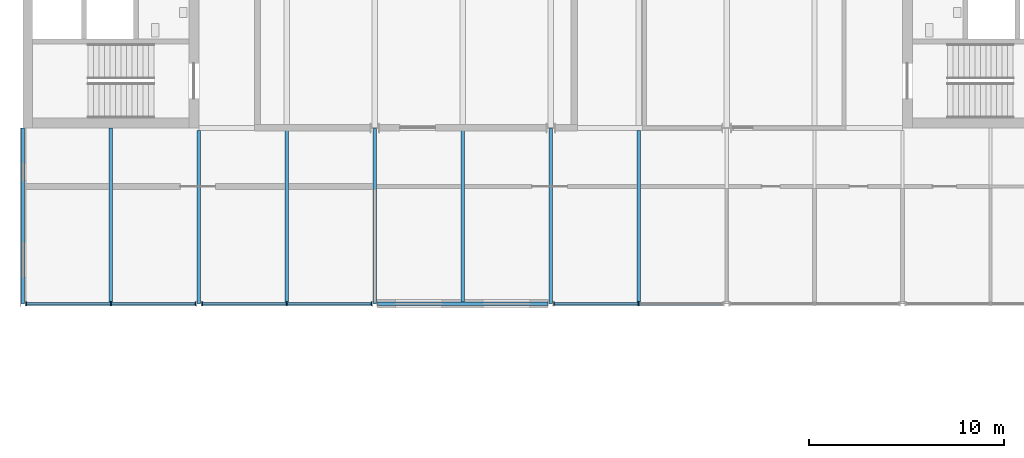
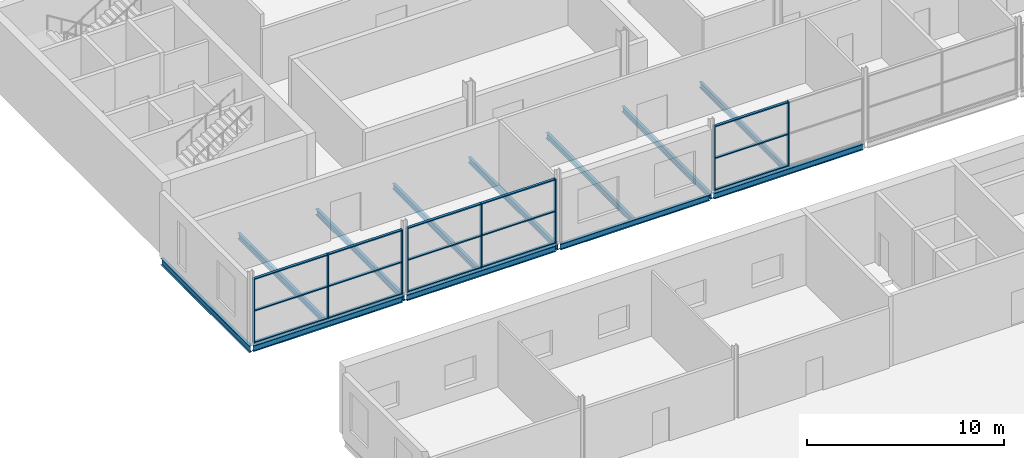
# One storey, part 61 of 138: 23 members, 12 beams, 3 elements without a shape of their own.
"""IFC4 building model written with IfcOpenShell, lengths in metres."""

from ifc_helpers import new_model, si_unit, direction, frame, origin, origin_2d, place, context, subcontext, project, spatial, rectangle, i_section, extrude, material, layer, layer_set, material_profile, profile_set, type_object, element, aggregate, save


model = new_model("IFC4")

# Units and contexts
model_context = context("Model", 3, precision=1e-05, world=origin(), true_north=direction((0.0, 1.0)))
body_context = subcontext(model_context, "Body", "Model", "MODEL_VIEW")
ifc_project = project(units=[si_unit("LENGTHUNIT", "METRE"), si_unit("AREAUNIT", "SQUARE_METRE"), si_unit("VOLUMEUNIT", "CUBIC_METRE"), si_unit("PLANEANGLEUNIT", "RADIAN"), si_unit("MASSUNIT", "GRAM", prefix="KILO")], contexts=[model_context])

# Site, building, storey
site_placement = place(None, origin())
site = spatial("IfcSite", under=ifc_project, at=site_placement, CompositionType="ELEMENT")
building_placement = place(site_placement, origin())
building = spatial("IfcBuilding", under=site, at=building_placement, Name="Corbel Yard City Hall", CompositionType="ELEMENT")
storey_placement = place(building_placement, frame((0.0, 0.0, 10.5)))
storey = spatial("IfcBuildingStorey", under=building, at=storey_placement, Name="L02", CompositionType="ELEMENT", Elevation=10.5)

# Beams
ifc_material_1 = material(Name="Steel Grade 300 (300 MPa yield)", Category="steel")
ifc_material_profile_1 = material_profile(ifc_material_1, i_section(OverallWidth=0.1708984375, OverallDepth=0.35595703125, WebThickness=0.00732421875, FlangeThickness=0.011474609375, at=origin_2d()), Name="360UB50.7")
ifc_profile_set_1 = profile_set([ifc_material_profile_1], Name="Steel Grade 300 (300 MPa yield)")
beam_type_1 = type_object("IfcBeamType", Name="Beam 360UB50.7", PredefinedType="BEAM", material=ifc_profile_set_1)
beam_1_placement = place(storey_placement, frame((9.0, 90.00537109375, -0.327880859375), z_axis=(0.0, 1.0, 0.0), x_axis=(-1.0, 0.0, 0.0)))
element("IfcBeam", 1, at=beam_1_placement, inside=storey, type_object=beam_type_1, Name="Beam 360UB50.7 SB14 L02floor", PredefinedType="BEAM", context=body_context, shape_type="SweptSolid", body=[
    extrude(i_section(OverallWidth=0.1708984375, OverallDepth=0.35595703125, WebThickness=0.00732421875, FlangeThickness=0.011474609375, at=origin_2d()), origin(), (0.0, 0.0, 1.0), 8.86962890625),
])
ifc_material_profile_2 = material_profile(ifc_material_1, i_section(OverallWidth=0.172119140625, OverallDepth=0.35888671875, WebThickness=0.008056640625, FlangeThickness=0.012939453125, at=origin_2d()), Name="360UB56.7")
ifc_profile_set_2 = profile_set([ifc_material_profile_2], Name="Steel Grade 300 (300 MPa yield)")
beam_type_2 = type_object("IfcBeamType", Name="Beam 360UB56.7", PredefinedType="BEAM", material=ifc_profile_set_2)
for number, where, z_axis, x_axis, name in (
    (2, (18.0, 90.00537109375, -0.32958984375), (0.0, 1.0, 0.0), (-1.0, 0.0, 0.0), "Beam 360UB56.7 SB15 L02floor"),
    (3, (27.0, 90.00537109375, -0.32958984375), (0.0, 1.0, 0.0), (-1.0, 0.0, 0.0), "Beam 360UB56.7 SB15 L02floor"),
):
    element("IfcBeam", number, at=place(storey_placement, frame(where, z_axis=z_axis, x_axis=x_axis)), inside=storey, type_object=beam_type_2, Name=name, PredefinedType="BEAM", context=body_context, shape_type="SweptSolid", body=[
        extrude(i_section(OverallWidth=0.172119140625, OverallDepth=0.35888671875, WebThickness=0.008056640625, FlangeThickness=0.012939453125, at=origin_2d()), origin(), (0.0, 0.0, 1.0), 8.974609375),
    ])
ifc_material_profile_3 = material_profile(ifc_material_1, i_section(OverallWidth=0.172119140625, OverallDepth=0.35888671875, WebThickness=0.008056640625, FlangeThickness=0.012939453125, at=origin_2d()), Name="360UB56.7")
ifc_profile_set_3 = profile_set([ifc_material_profile_3], Name="Steel Grade 300 (300 MPa yield)")
beam_type_3 = type_object("IfcBeamType", Name="Edge beam 360UB56.7", PredefinedType="BEAM", material=ifc_profile_set_3)
for number, where, z_axis, x_axis, name in (
    (4, (0.1298828125, 90.0, -0.32958984375), (1.0, 0.0, 0.0), (0.0, 1.0, 0.0), "Edge beam 360UB56.7 EB4 L02floor"),
    (5, (9.1298828125, 90.0, -0.32958984375), (1.0, 0.0, 0.0), (0.0, 1.0, 0.0), "Edge beam 360UB56.7 EB4 L02floor"),
    (6, (18.1298828125, 90.0, -0.32958984375), (1.0, 0.0, 0.0), (0.0, 1.0, 0.0), "Edge beam 360UB56.7 EB4 L02floor"),
    (7, (27.1298828125, 90.0, -0.32958984375), (1.0, 0.0, 0.0), (0.0, 1.0, 0.0), "Edge beam 360UB56.7 EB4 L02floor"),
):
    element("IfcBeam", number, at=place(storey_placement, frame(where, z_axis=z_axis, x_axis=x_axis)), inside=storey, type_object=beam_type_3, Name=name, PredefinedType="BEAM", context=body_context, shape_type="SweptSolid", body=[
        extrude(i_section(OverallWidth=0.172119140625, OverallDepth=0.35888671875, WebThickness=0.008056640625, FlangeThickness=0.012939453125, at=origin_2d()), origin(), (0.0, 0.0, 1.0), 8.740234375),
    ])
ifc_material_profile_4 = material_profile(ifc_material_1, i_section(OverallWidth=0.177978515625, OverallDepth=0.403076171875, WebThickness=0.007568359375, FlangeThickness=0.010986328125, at=origin_2d()), Name="410UB53.7")
ifc_profile_set_4 = profile_set([ifc_material_profile_4], Name="Steel Grade 300 (300 MPa yield)")
beam_type_4 = type_object("IfcBeamType", Name="Edge beam 410UB53.7", PredefinedType="BEAM", material=ifc_profile_set_4)
beam_2_placement = place(storey_placement, frame((0.0, 90.00537109375, -0.3515625), z_axis=(0.0, 1.0, 0.0), x_axis=(-1.0, 0.0, 0.0)))
element("IfcBeam", 8, at=beam_2_placement, inside=storey, type_object=beam_type_4, Name="Edge beam 410UB53.7 EB6 L02floor", PredefinedType="BEAM", context=body_context, shape_type="SweptSolid", body=[
    extrude(i_section(OverallWidth=0.177978515625, OverallDepth=0.403076171875, WebThickness=0.007568359375, FlangeThickness=0.010986328125, at=origin_2d()), origin(), (0.0, 0.0, 1.0), 8.99462890625),
])

# Curtain wall, members
ifc_material_2 = material(Name="Aluminium extrusion", Category="aluminium")
ifc_layer = layer(ifc_material_2, 0.199951171875)
ifc_layer_set = layer_set([ifc_layer], Name="Aluminium extrusion")
curtain_wall_type = type_object("IfcCurtainWallType", Name="CW1", PredefinedType="USERDEFINED", material=ifc_layer_set)
curtain_wall_1_placement = place(storey_placement, origin())
curtain_wall_1 = element("IfcCurtainWall", 9, at=curtain_wall_1_placement, inside=storey, type_object=curtain_wall_type, Name="Curtain wall CW1 L02", ObjectType="CURTAIN WALL", PredefinedType="USERDEFINED")
ifc_material_profile_5 = material_profile(ifc_material_2, rectangle(XDim=0.199951171875, YDim=0.06494140625, at=origin_2d()), Name="200x65")
ifc_profile_set_5 = profile_set([ifc_material_profile_5], Name="Aluminium extrusion")
member_type_1 = type_object("IfcMemberType", Name="ML1", PredefinedType="MULLION", material=ifc_profile_set_5)
member_1_placement = place(storey_placement, frame((0.159423828125, 90.0, 0.0), z_axis=(0.0, 0.0, 1.0), x_axis=(0.0, 1.0, 0.0)))
member_1 = element("IfcMember", 10, at=member_1_placement, type_object=member_type_1, Name="CW1 mullion 1", PredefinedType="MULLION", context=body_context, shape_type="SweptSolid", body=[
    extrude(rectangle(XDim=0.199951171875, YDim=0.06494140625, at=origin_2d()), origin(), (0.0, 0.0, 1.0), 3.990966796875),
])
member_2_placement = place(storey_placement, frame((4.5, 90.0, 0.0), z_axis=(0.0, 0.0, 1.0), x_axis=(0.0, 1.0, 0.0)))
member_2 = element("IfcMember", 11, at=member_2_placement, type_object=member_type_1, Name="CW1 mullion 2", PredefinedType="MULLION", context=body_context, shape_type="SweptSolid", body=[
    extrude(rectangle(XDim=0.199951171875, YDim=0.06494140625, at=origin_2d()), origin(), (0.0, 0.0, 1.0), 3.990966796875),
])
member_3_placement = place(storey_placement, frame((8.840576171875, 90.0, 0.0), z_axis=(0.0, 0.0, 1.0), x_axis=(0.0, 1.0, 0.0)))
member_3 = element("IfcMember", 12, at=member_3_placement, type_object=member_type_1, Name="CW1 mullion 3", PredefinedType="MULLION", context=body_context, shape_type="SweptSolid", body=[
    extrude(rectangle(XDim=0.199951171875, YDim=0.06494140625, at=origin_2d()), origin(), (0.0, 0.0, 1.0), 3.990966796875),
])

curtain_wall_2_placement = place(storey_placement, origin())
curtain_wall_2 = element("IfcCurtainWall", 13, at=curtain_wall_2_placement, inside=storey, type_object=curtain_wall_type, Name="Curtain wall CW1 L02", ObjectType="CURTAIN WALL", PredefinedType="USERDEFINED")
member_4_placement = place(storey_placement, frame((9.159423828125, 90.0, 0.0), z_axis=(0.0, 0.0, 1.0), x_axis=(0.0, 1.0, 0.0)))
member_4 = element("IfcMember", 14, at=member_4_placement, type_object=member_type_1, Name="CW1 mullion 1", PredefinedType="MULLION", context=body_context, shape_type="SweptSolid", body=[
    extrude(rectangle(XDim=0.199951171875, YDim=0.06494140625, at=origin_2d()), origin(), (0.0, 0.0, 1.0), 3.990966796875),
])
member_5_placement = place(storey_placement, frame((13.5, 90.0, 0.0), z_axis=(0.0, 0.0, 1.0), x_axis=(0.0, 1.0, 0.0)))
member_5 = element("IfcMember", 15, at=member_5_placement, type_object=member_type_1, Name="CW1 mullion 2", PredefinedType="MULLION", context=body_context, shape_type="SweptSolid", body=[
    extrude(rectangle(XDim=0.199951171875, YDim=0.06494140625, at=origin_2d()), origin(), (0.0, 0.0, 1.0), 3.990966796875),
])
member_6_placement = place(storey_placement, frame((17.840576171875, 90.0, 0.0), z_axis=(0.0, 0.0, 1.0), x_axis=(0.0, 1.0, 0.0)))
member_6 = element("IfcMember", 16, at=member_6_placement, type_object=member_type_1, Name="CW1 mullion 3", PredefinedType="MULLION", context=body_context, shape_type="SweptSolid", body=[
    extrude(rectangle(XDim=0.199951171875, YDim=0.06494140625, at=origin_2d()), origin(), (0.0, 0.0, 1.0), 3.990966796875),
])

curtain_wall_3_placement = place(storey_placement, origin())
curtain_wall_3 = element("IfcCurtainWall", 17, at=curtain_wall_3_placement, inside=storey, type_object=curtain_wall_type, Name="Curtain wall CW1 L02", ObjectType="CURTAIN WALL", PredefinedType="USERDEFINED")
member_7_placement = place(storey_placement, frame((27.159423828125, 90.0, 0.0), z_axis=(0.0, 0.0, 1.0), x_axis=(0.0, 1.0, 0.0)))
member_7 = element("IfcMember", 18, at=member_7_placement, type_object=member_type_1, Name="CW1 mullion 1", PredefinedType="MULLION", context=body_context, shape_type="SweptSolid", body=[
    extrude(rectangle(XDim=0.199951171875, YDim=0.06494140625, at=origin_2d()), origin(), (0.0, 0.0, 1.0), 3.990966796875),
])
member_8_placement = place(storey_placement, frame((31.5, 90.0, 0.0), z_axis=(0.0, 0.0, 1.0), x_axis=(0.0, 1.0, 0.0)))
member_8 = element("IfcMember", 19, at=member_8_placement, type_object=member_type_1, Name="CW1 mullion 2", PredefinedType="MULLION", context=body_context, shape_type="SweptSolid", body=[
    extrude(rectangle(XDim=0.199951171875, YDim=0.06494140625, at=origin_2d()), origin(), (0.0, 0.0, 1.0), 3.990966796875),
])

# Beams
ifc_material_profile_6 = material_profile(ifc_material_1, i_section(OverallWidth=0.1708984375, OverallDepth=0.35205078125, WebThickness=0.0068359375, FlangeThickness=0.009765625, at=origin_2d()), Name="360UB44.7")
ifc_profile_set_6 = profile_set([ifc_material_profile_6], Name="Steel Grade 300 (300 MPa yield)")
beam_type_5 = type_object("IfcBeamType", Name="Secondary beam 360UB44.7", PredefinedType="JOIST", material=ifc_profile_set_6)
for number, where, z_axis, x_axis, name in (
    (20, (13.5, 90.0859375, -0.325927734375), (0.0, 1.0, 0.0), (-1.0, 0.0, 0.0), "Secondary beam 360UB44.7 SB11 L02floor"),
    (21, (22.5, 90.0859375, -0.325927734375), (0.0, 1.0, 0.0), (-1.0, 0.0, 0.0), "Secondary beam 360UB44.7 SB11 L02floor"),
    (22, (31.5, 90.0859375, -0.325927734375), (0.0, 1.0, 0.0), (-1.0, 0.0, 0.0), "Secondary beam 360UB44.7 SB11 L02floor"),
):
    element("IfcBeam", number, at=place(storey_placement, frame(where, z_axis=z_axis, x_axis=x_axis)), inside=storey, type_object=beam_type_5, Name=name, PredefinedType="JOIST", context=body_context, shape_type="SweptSolid", body=[
        extrude(i_section(OverallWidth=0.1708984375, OverallDepth=0.35205078125, WebThickness=0.0068359375, FlangeThickness=0.009765625, at=origin_2d()), origin(), (0.0, 0.0, 1.0), 8.7890625),
    ])
ifc_material_profile_7 = material_profile(ifc_material_1, i_section(OverallWidth=0.172119140625, OverallDepth=0.35888671875, WebThickness=0.008056640625, FlangeThickness=0.012939453125, at=origin_2d()), Name="360UB56.7")
ifc_profile_set_7 = profile_set([ifc_material_profile_7], Name="Steel Grade 300 (300 MPa yield)")
beam_type_6 = type_object("IfcBeamType", Name="Secondary beam 360UB56.7", PredefinedType="JOIST", material=ifc_profile_set_7)
beam_3_placement = place(storey_placement, frame((4.5, 90.0859375, -0.32958984375), z_axis=(0.0, 1.0, 0.0), x_axis=(-1.0, 0.0, 0.0)))
element("IfcBeam", 23, at=beam_3_placement, inside=storey, type_object=beam_type_6, Name="Secondary beam 360UB56.7 SB12 L02floor", PredefinedType="JOIST", context=body_context, shape_type="SweptSolid", body=[
    extrude(i_section(OverallWidth=0.172119140625, OverallDepth=0.35888671875, WebThickness=0.008056640625, FlangeThickness=0.012939453125, at=origin_2d()), origin(), (0.0, 0.0, 1.0), 8.9140625),
])

# Member
ifc_material_profile_8 = material_profile(ifc_material_2, rectangle(XDim=0.14990234375, YDim=0.06494140625, at=origin_2d()), Name="150x65")
ifc_profile_set_8 = profile_set([ifc_material_profile_8], Name="Aluminium extrusion")
member_type_2 = type_object("IfcMemberType", Name="TR1", PredefinedType="USERDEFINED", material=ifc_profile_set_8)
member_9_placement = place(storey_placement, frame((0.19189453125, 90.0, 0.032470703125), z_axis=(1.0, 0.0, 0.0), x_axis=(0.0, 1.0, 0.0)))
member_9 = element("IfcMember", 24, at=member_9_placement, type_object=member_type_2, Name="CW1 transom 1.1", ObjectType="TRANSOM", PredefinedType="USERDEFINED", context=body_context, shape_type="SweptSolid", body=[
    extrude(rectangle(XDim=0.14990234375, YDim=0.06494140625, at=origin_2d()), origin(), (0.0, 0.0, 1.0), 4.275634765625),
])

member_10_placement = place(storey_placement, frame((0.19189453125, 90.0, 1.99560546875), z_axis=(1.0, 0.0, 0.0), x_axis=(0.0, 1.0, 0.0)))
member_10 = element("IfcMember", 25, at=member_10_placement, type_object=member_type_2, Name="CW1 transom 1.2", ObjectType="TRANSOM", PredefinedType="USERDEFINED", context=body_context, shape_type="SweptSolid", body=[
    extrude(rectangle(XDim=0.14990234375, YDim=0.06494140625, at=origin_2d()), origin(), (0.0, 0.0, 1.0), 4.275634765625),
])

member_11_placement = place(storey_placement, frame((0.19189453125, 90.0, 3.95849609375), z_axis=(1.0, 0.0, 0.0), x_axis=(0.0, 1.0, 0.0)))
member_11 = element("IfcMember", 26, at=member_11_placement, type_object=member_type_2, Name="CW1 transom 1.3", ObjectType="TRANSOM", PredefinedType="USERDEFINED", context=body_context, shape_type="SweptSolid", body=[
    extrude(rectangle(XDim=0.14990234375, YDim=0.06494140625, at=origin_2d()), origin(), (0.0, 0.0, 1.0), 4.275634765625),
])

member_12_placement = place(storey_placement, frame((4.532470703125, 90.0, 0.032470703125), z_axis=(1.0, 0.0, 0.0), x_axis=(0.0, 1.0, 0.0)))
member_12 = element("IfcMember", 27, at=member_12_placement, type_object=member_type_2, Name="CW1 transom 2.1", ObjectType="TRANSOM", PredefinedType="USERDEFINED", context=body_context, shape_type="SweptSolid", body=[
    extrude(rectangle(XDim=0.14990234375, YDim=0.06494140625, at=origin_2d()), origin(), (0.0, 0.0, 1.0), 4.275634765625),
])

member_13_placement = place(storey_placement, frame((4.532470703125, 90.0, 1.99560546875), z_axis=(1.0, 0.0, 0.0), x_axis=(0.0, 1.0, 0.0)))
member_13 = element("IfcMember", 28, at=member_13_placement, type_object=member_type_2, Name="CW1 transom 2.2", ObjectType="TRANSOM", PredefinedType="USERDEFINED", context=body_context, shape_type="SweptSolid", body=[
    extrude(rectangle(XDim=0.14990234375, YDim=0.06494140625, at=origin_2d()), origin(), (0.0, 0.0, 1.0), 4.275634765625),
])

member_14_placement = place(storey_placement, frame((4.532470703125, 90.0, 3.95849609375), z_axis=(1.0, 0.0, 0.0), x_axis=(0.0, 1.0, 0.0)))
member_14 = element("IfcMember", 29, at=member_14_placement, type_object=member_type_2, Name="CW1 transom 2.3", ObjectType="TRANSOM", PredefinedType="USERDEFINED", context=body_context, shape_type="SweptSolid", body=[
    extrude(rectangle(XDim=0.14990234375, YDim=0.06494140625, at=origin_2d()), origin(), (0.0, 0.0, 1.0), 4.275634765625),
])

aggregate(curtain_wall_1, [member_1, member_2, member_3, member_9, member_10, member_11, member_12, member_13, member_14])

member_15_placement = place(storey_placement, frame((9.19189453125, 90.0, 0.032470703125), z_axis=(1.0, 0.0, 0.0), x_axis=(0.0, 1.0, 0.0)))
member_15 = element("IfcMember", 30, at=member_15_placement, type_object=member_type_2, Name="CW1 transom 1.1", ObjectType="TRANSOM", PredefinedType="USERDEFINED", context=body_context, shape_type="SweptSolid", body=[
    extrude(rectangle(XDim=0.14990234375, YDim=0.06494140625, at=origin_2d()), origin(), (0.0, 0.0, 1.0), 4.275634765625),
])

member_16_placement = place(storey_placement, frame((9.19189453125, 90.0, 1.99560546875), z_axis=(1.0, 0.0, 0.0), x_axis=(0.0, 1.0, 0.0)))
member_16 = element("IfcMember", 31, at=member_16_placement, type_object=member_type_2, Name="CW1 transom 1.2", ObjectType="TRANSOM", PredefinedType="USERDEFINED", context=body_context, shape_type="SweptSolid", body=[
    extrude(rectangle(XDim=0.14990234375, YDim=0.06494140625, at=origin_2d()), origin(), (0.0, 0.0, 1.0), 4.275634765625),
])

member_17_placement = place(storey_placement, frame((9.19189453125, 90.0, 3.95849609375), z_axis=(1.0, 0.0, 0.0), x_axis=(0.0, 1.0, 0.0)))
member_17 = element("IfcMember", 32, at=member_17_placement, type_object=member_type_2, Name="CW1 transom 1.3", ObjectType="TRANSOM", PredefinedType="USERDEFINED", context=body_context, shape_type="SweptSolid", body=[
    extrude(rectangle(XDim=0.14990234375, YDim=0.06494140625, at=origin_2d()), origin(), (0.0, 0.0, 1.0), 4.275634765625),
])

member_18_placement = place(storey_placement, frame((13.532470703125, 90.0, 0.032470703125), z_axis=(1.0, 0.0, 0.0), x_axis=(0.0, 1.0, 0.0)))
member_18 = element("IfcMember", 33, at=member_18_placement, type_object=member_type_2, Name="CW1 transom 2.1", ObjectType="TRANSOM", PredefinedType="USERDEFINED", context=body_context, shape_type="SweptSolid", body=[
    extrude(rectangle(XDim=0.14990234375, YDim=0.06494140625, at=origin_2d()), origin(), (0.0, 0.0, 1.0), 4.275634765625),
])

member_19_placement = place(storey_placement, frame((13.532470703125, 90.0, 1.99560546875), z_axis=(1.0, 0.0, 0.0), x_axis=(0.0, 1.0, 0.0)))
member_19 = element("IfcMember", 34, at=member_19_placement, type_object=member_type_2, Name="CW1 transom 2.2", ObjectType="TRANSOM", PredefinedType="USERDEFINED", context=body_context, shape_type="SweptSolid", body=[
    extrude(rectangle(XDim=0.14990234375, YDim=0.06494140625, at=origin_2d()), origin(), (0.0, 0.0, 1.0), 4.275634765625),
])

member_20_placement = place(storey_placement, frame((13.532470703125, 90.0, 3.95849609375), z_axis=(1.0, 0.0, 0.0), x_axis=(0.0, 1.0, 0.0)))
member_20 = element("IfcMember", 35, at=member_20_placement, type_object=member_type_2, Name="CW1 transom 2.3", ObjectType="TRANSOM", PredefinedType="USERDEFINED", context=body_context, shape_type="SweptSolid", body=[
    extrude(rectangle(XDim=0.14990234375, YDim=0.06494140625, at=origin_2d()), origin(), (0.0, 0.0, 1.0), 4.275634765625),
])

aggregate(curtain_wall_2, [member_4, member_5, member_6, member_15, member_16, member_17, member_18, member_19, member_20])

member_21_placement = place(storey_placement, frame((27.19189453125, 90.0, 0.032470703125), z_axis=(1.0, 0.0, 0.0), x_axis=(0.0, 1.0, 0.0)))
member_21 = element("IfcMember", 36, at=member_21_placement, type_object=member_type_2, Name="CW1 transom 1.1", ObjectType="TRANSOM", PredefinedType="USERDEFINED", context=body_context, shape_type="SweptSolid", body=[
    extrude(rectangle(XDim=0.14990234375, YDim=0.06494140625, at=origin_2d()), origin(), (0.0, 0.0, 1.0), 4.275634765625),
])

member_22_placement = place(storey_placement, frame((27.19189453125, 90.0, 1.99560546875), z_axis=(1.0, 0.0, 0.0), x_axis=(0.0, 1.0, 0.0)))
member_22 = element("IfcMember", 37, at=member_22_placement, type_object=member_type_2, Name="CW1 transom 1.2", ObjectType="TRANSOM", PredefinedType="USERDEFINED", context=body_context, shape_type="SweptSolid", body=[
    extrude(rectangle(XDim=0.14990234375, YDim=0.06494140625, at=origin_2d()), origin(), (0.0, 0.0, 1.0), 4.275634765625),
])

member_23_placement = place(storey_placement, frame((27.19189453125, 90.0, 3.95849609375), z_axis=(1.0, 0.0, 0.0), x_axis=(0.0, 1.0, 0.0)))
member_23 = element("IfcMember", 38, at=member_23_placement, type_object=member_type_2, Name="CW1 transom 1.3", ObjectType="TRANSOM", PredefinedType="USERDEFINED", context=body_context, shape_type="SweptSolid", body=[
    extrude(rectangle(XDim=0.14990234375, YDim=0.06494140625, at=origin_2d()), origin(), (0.0, 0.0, 1.0), 4.275634765625),
])

aggregate(curtain_wall_3, [member_7, member_8, member_21, member_22, member_23])

save(model, "model.ifc")
